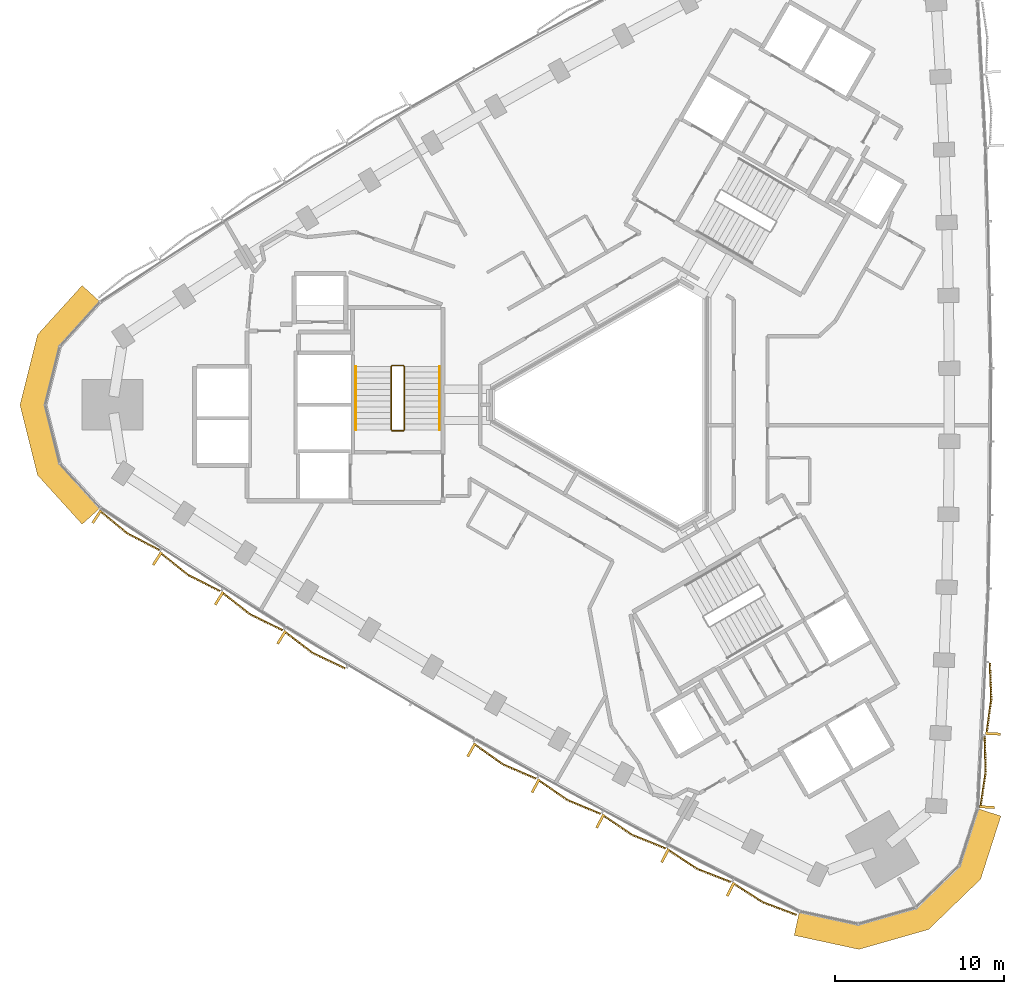
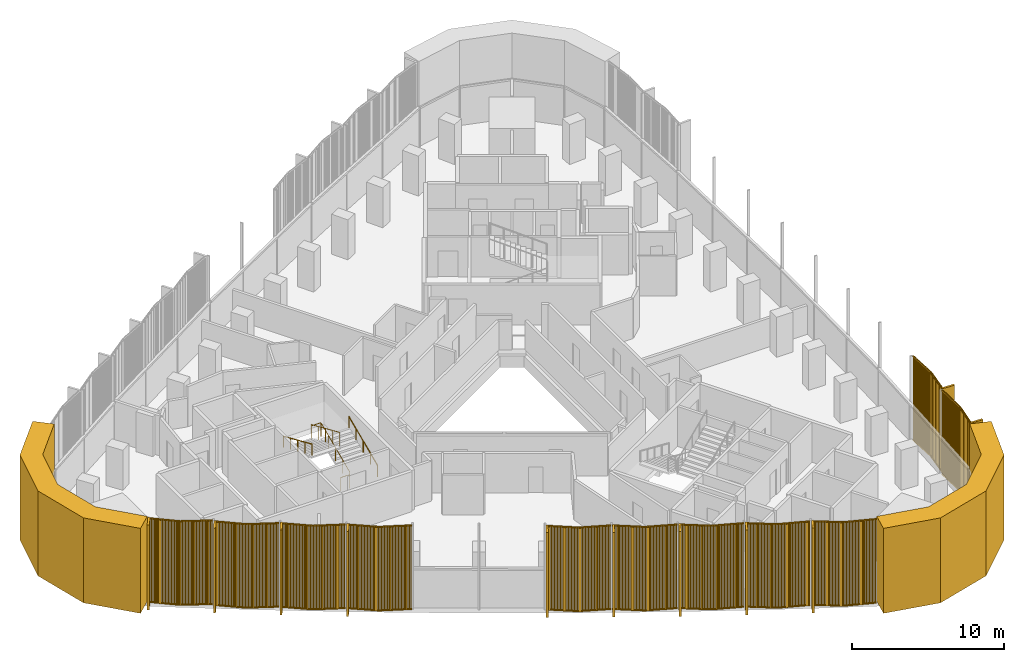
# One storey, part 12 of 14: 13 coverings, 3 railings.
"""IFC4 building model written with IfcOpenShell, lengths in metres."""

from ifc_helpers import new_model, si_unit, direction, frame, frame_2d, origin, origin_2d, place, context, subcontext, project, spatial, polyline, rectangle, circle, outline, extrude, source, transform, mapped, material, layer, layer_set, type_object, element, save


model = new_model("IFC4")

# Units and contexts
model_context = context("Model", 3, precision=1e-05, world=origin(), true_north=direction((0.0, 1.0)))
body_context = subcontext(model_context, "Body", "Model", "MODEL_VIEW")
ifc_project = project(units=[si_unit("LENGTHUNIT", "METRE"), si_unit("AREAUNIT", "SQUARE_METRE"), si_unit("VOLUMEUNIT", "CUBIC_METRE"), si_unit("PLANEANGLEUNIT", "RADIAN"), si_unit("MASSUNIT", "GRAM", prefix="KILO")], contexts=[model_context])

# Site, building, storey
site_placement = place(None, origin())
site = spatial("IfcSite", under=ifc_project, at=site_placement, CompositionType="ELEMENT")
building_placement = place(site_placement, origin())
building = spatial("IfcBuilding", under=site, at=building_placement, Name="Tamra Quay Hotel Tower", CompositionType="ELEMENT")
storey_placement = place(building_placement, frame((0.0, 0.0, 150.39990234375)))
storey = spatial("IfcBuildingStorey", under=building, at=storey_placement, Name="L37", CompositionType="ELEMENT", Elevation=150.39990234375)

# Coverings
ifc_material_1 = material(Name="Precast concrete M60 terracotta-coloured", Category="masonry")
ifc_layer = layer(ifc_material_1, 1.449951171875)
ifc_layer_set = layer_set([ifc_layer], Name="CORNER PIER PANEL")
covering_type_1 = type_object("IfcCoveringType", Name="CORNER PIER PANEL", PredefinedType="CLADDING", material=ifc_layer_set)
covering_1_placement = place(storey_placement, origin())
element("IfcCovering", 1, at=covering_1_placement, inside=storey, type_object=covering_type_1, Name="Corner pier L37.north-west", PredefinedType="CLADDING", context=body_context, shape_type="SweptSolid", body=[
    extrude(outline(polyline([(-31.139892578125, 6.099365234375), (-32.21435546875, 7.0732421875), (-34.85205078125, 4.16259765625), (-35.894775390625, 0.0), (-34.85205078125, -4.16259765625), (-32.21435546875, -7.0732421875), (-31.139892578125, -6.099365234375), (-33.53369140625, -3.4580078125), (-34.39990234375, 0.0), (-33.53369140625, 3.4580078125), (-31.139892578125, 6.099365234375)])), origin(), (0.0, 0.0, 1.0), 6.800048828125),
])
covering_2_placement = place(storey_placement, origin())
element("IfcCovering", 2, at=covering_2_placement, inside=storey, type_object=covering_type_1, Name="Corner pier L37.south-west", PredefinedType="CLADDING", context=body_context, shape_type="SweptSolid", body=[
    extrude(outline(polyline([(10.28759765625, -30.017578125), (9.981689453125, -31.43505859375), (13.821044921875, -32.26416015625), (17.947509765625, -31.085693359375), (21.031005859375, -28.1015625), (22.232666015625, -24.36181640625), (20.852294921875, -23.918212890625), (19.76171875, -27.31201171875), (17.199951171875, -29.791259765625), (13.772216796875, -30.770263671875), (10.28759765625, -30.017578125)])), origin(), (0.0, 0.0, 1.0), 6.800048828125),
])

# Railings
ifc_material_2 = material(Name="Stair guard 1100")
railing_type_1 = type_object("IfcRailingType", Name="Stair guard 1100", PredefinedType="GUARDRAIL", material=ifc_material_2)
railing_1_placement = place(storey_placement, frame((-13.84130859375, -1.530029296875, 0.0)))
element("IfcRailing", 3, at=railing_1_placement, inside=storey, type_object=railing_type_1, Name="GR", PredefinedType="GUARDRAIL", context=body_context, shape_type="SweptSolid", body=[
    extrude(circle(Radius=0.02392578125, at=origin_2d()), frame((0.0, 0.0, 1.076171875), z_axis=(1.0, 0.0, 0.0), x_axis=(0.0, 1.0, 0.0)), (0.0, 0.0, 1.0), 0.658935546875),
    extrude(circle(Radius=0.02392578125, at=origin_2d()), frame((0.658935546875, 0.0, 1.076171875), z_axis=(0.301511344578, 0.301511344578, 0.904534033733), x_axis=(-0.707106781187, 0.707106781187, 0.0)), (0.0, 0.0, 1.0), 0.166015625),
    extrude(circle(Radius=0.02392578125, at=origin_2d()), frame((0.708984375, 0.050048828125, 1.22607421875), z_axis=(0.0, 0.915795495799, 0.401644880304), x_axis=(-1.0, 0.0, 0.0)), (0.0, 0.0, 1.0), 4.10791015625),
    extrude(circle(Radius=0.02392578125, at=origin_2d()), frame((0.708984375, 3.81201171875, 2.8759765625), z_axis=(-0.708833529934, 0.705375805398, 0.0), x_axis=(-0.705375805398, -0.708833529934, 0.0)), (0.0, 0.0, 1.0), 0.070556640625),
    extrude(circle(Radius=0.02392578125, at=origin_2d()), frame((0.658935546875, 3.86181640625, 2.8759765625), z_axis=(-1.0, 0.0, 0.0), x_axis=(0.0, -1.0, 0.0)), (0.0, 0.0, 1.0), 0.658935546875),
    extrude(circle(Radius=0.02392578125, at=origin_2d()), frame((0.0, 3.86181640625, 2.8759765625), z_axis=(-0.301644814947, -0.300173376825, 0.904934444842), x_axis=(0.705375805398, -0.708833529934, 0.0)), (0.0, 0.0, 1.0), 0.166015625),
    extrude(circle(Radius=0.02392578125, at=origin_2d()), frame((-0.050048828125, 3.81201171875, 3.0263671875), z_axis=(0.0, -0.915795495799, 0.401644880304), x_axis=(1.0, 0.0, 0.0)), (0.0, 0.0, 1.0), 4.10791015625),
    extrude(circle(Radius=0.02099609375, at=origin_2d()), origin(), (0.0, 0.0, 1.0), 1.052001953125),
    extrude(circle(Radius=0.02099609375, at=origin_2d()), frame((0.658935546875, 0.0, 0.0)), (0.0, 0.0, 1.0), 1.052001953125),
    extrude(circle(Radius=0.02099609375, at=origin_2d()), frame((0.708984375, 0.050048828125, 0.150146484375)), (0.0, 0.0, 1.0), 1.052001953125),
    extrude(circle(Radius=0.02099609375, at=origin_2d()), frame((0.708984375, 0.990478515625, 0.5625)), (0.0, 0.0, 1.0), 1.052001953125),
    extrude(circle(Radius=0.02099609375, at=origin_2d()), frame((0.708984375, 1.93115234375, 0.97509765625)), (0.0, 0.0, 1.0), 1.052001953125),
    extrude(circle(Radius=0.02099609375, at=origin_2d()), frame((0.708984375, 2.87158203125, 1.3876953125)), (0.0, 0.0, 1.0), 1.052001953125),
    extrude(circle(Radius=0.02099609375, at=origin_2d()), frame((0.708984375, 3.81201171875, 1.800048828125)), (0.0, 0.0, 1.0), 1.052001953125),
    extrude(circle(Radius=0.02099609375, at=origin_2d()), frame((0.658935546875, 3.86181640625, 1.800048828125)), (0.0, 0.0, 1.0), 1.052001953125),
    extrude(circle(Radius=0.02099609375, at=origin_2d()), frame((0.0, 3.86181640625, 1.800048828125)), (0.0, 0.0, 1.0), 1.052001953125),
    extrude(circle(Radius=0.02099609375, at=origin_2d()), frame((-0.050048828125, 3.81201171875, 1.9501953125)), (0.0, 0.0, 1.0), 1.052001953125),
    extrude(circle(Radius=0.02099609375, at=origin_2d()), frame((-0.050048828125, 2.87158203125, 2.36279296875)), (0.0, 0.0, 1.0), 1.052001953125),
    extrude(circle(Radius=0.02099609375, at=origin_2d()), frame((-0.050048828125, 1.93115234375, 2.775146484375)), (0.0, 0.0, 1.0), 1.052001953125),
    extrude(circle(Radius=0.02099609375, at=origin_2d()), frame((-0.050048828125, 0.990478515625, 3.1875)), (0.0, 0.0, 1.0), 1.052001953125),
    extrude(circle(Radius=0.02099609375, at=origin_2d()), frame((-0.050048828125, 0.050048828125, 3.60009765625)), (0.0, 0.0, 1.0), 1.052001953125),
])
ifc_material_3 = material(Name="Stair handrail 900")
railing_type_2 = type_object("IfcRailingType", Name="Stair handrail 900", PredefinedType="HANDRAIL", material=ifc_material_3)
railing_2_placement = place(storey_placement, frame((-11.0322265625, -1.47998046875, 0.150146484375)))
element("IfcRailing", 4, at=railing_2_placement, inside=storey, type_object=railing_type_2, Name="HR", PredefinedType="HANDRAIL", context=body_context, shape_type="SweptSolid", body=[
    extrude(circle(Radius=0.02392578125, at=origin_2d()), frame((0.0, 0.0, 0.8759765625), z_axis=(0.0, 0.915795495799, 0.401644880304), x_axis=(-1.0, 0.0, 0.0)), (0.0, 0.0, 1.0), 4.10791015625),
    extrude(circle(Radius=0.02099609375, at=origin_2d()), origin(), (0.0, 0.0, 1.0), 0.851806640625),
    extrude(circle(Radius=0.02099609375, at=origin_2d()), frame((0.0, 0.9404296875, 0.41259765625)), (0.0, 0.0, 1.0), 0.851806640625),
    extrude(circle(Radius=0.02099609375, at=origin_2d()), frame((0.0, 1.880859375, 0.824951171875)), (0.0, 0.0, 1.0), 0.851806640625),
    extrude(circle(Radius=0.02099609375, at=origin_2d()), frame((0.0, 2.821533203125, 1.2373046875)), (0.0, 0.0, 1.0), 0.851806640625),
    extrude(circle(Radius=0.02099609375, at=origin_2d()), frame((0.0, 3.761962890625, 1.64990234375)), (0.0, 0.0, 1.0), 0.851806640625),
])
railing_3_placement = place(storey_placement, frame((-15.9912109375, 2.281982421875, 1.9501953125)))
element("IfcRailing", 5, at=railing_3_placement, inside=storey, type_object=railing_type_2, Name="HR", PredefinedType="HANDRAIL", context=body_context, shape_type="SweptSolid", body=[
    extrude(circle(Radius=0.02392578125, at=origin_2d()), frame((0.0, 0.0, 0.8759765625), z_axis=(0.0, -0.915795495799, 0.401644880304), x_axis=(1.0, 0.0, 0.0)), (0.0, 0.0, 1.0), 4.10791015625),
    extrude(circle(Radius=0.02099609375, at=origin_2d()), origin(), (0.0, 0.0, 1.0), 0.851806640625),
    extrude(circle(Radius=0.02099609375, at=origin_2d()), frame((0.0, -0.9404296875, 0.41259765625)), (0.0, 0.0, 1.0), 0.851806640625),
    extrude(circle(Radius=0.02099609375, at=origin_2d()), frame((0.0, -1.880859375, 0.824951171875)), (0.0, 0.0, 1.0), 0.851806640625),
    extrude(circle(Radius=0.02099609375, at=origin_2d()), frame((0.0, -2.821533203125, 1.2373046875)), (0.0, 0.0, 1.0), 0.851806640625),
    extrude(circle(Radius=0.02099609375, at=origin_2d()), frame((0.0, -3.761962890625, 1.64990234375)), (0.0, 0.0, 1.0), 0.851806640625),
])

# Coverings
ifc_material_4 = material(Name="Terracotta baguette extruded", Category="masonry")
covering_type_2 = type_object("IfcCoveringType", Name="BAGUETTE SCREEN E-V H6800", PredefinedType="USERDEFINED", material=ifc_material_4)
shared_shape_1 = source(origin(), body_context, "Body", "SweptSolid", [
    extrude(rectangle(XDim=2.140625, YDim=0.06005859375, at=frame_2d((1.0703125, 0.030029296875))), frame((-2.1376953125, -0.057861328125, -0.1201171875), z_axis=(0.0, 0.0, 1.0), x_axis=(0.996194698092, -0.087155742748, 0.0)), (0.0, 0.0, 1.0), 0.1201171875),
    extrude(rectangle(XDim=2.140625, YDim=0.06005859375, at=frame_2d((1.0703125, 0.030029296875))), frame((-2.1376953125, -0.057861328125, -6.800048828125), z_axis=(0.0, 0.0, 1.0), x_axis=(0.996194698092, -0.087155742748, 0.0)), (0.0, 0.0, 1.0), 0.1201171875),
    extrude(rectangle(XDim=0.070068359375, YDim=0.10009765625, at=frame_2d((0.03515625, 0.050048828125))), frame((-2.11669921875, -0.13232421875, -6.739990234375)), (0.0, 0.0, 1.0), 6.679931640625),
    extrude(rectangle(XDim=0.070068359375, YDim=0.10009765625, at=frame_2d((0.03515625, 0.050048828125))), frame((-2.01513671875, -0.141357421875, -6.739990234375)), (0.0, 0.0, 1.0), 6.679931640625),
    extrude(rectangle(XDim=0.070068359375, YDim=0.10009765625, at=frame_2d((0.03515625, 0.050048828125))), frame((-1.91357421875, -0.150146484375, -6.739990234375)), (0.0, 0.0, 1.0), 6.679931640625),
    extrude(rectangle(XDim=0.070068359375, YDim=0.10009765625, at=frame_2d((0.03515625, 0.050048828125))), frame((-1.81201171875, -0.1591796875, -6.739990234375)), (0.0, 0.0, 1.0), 6.679931640625),
    extrude(rectangle(XDim=0.070068359375, YDim=0.10009765625, at=frame_2d((0.03515625, 0.050048828125))), frame((-1.71044921875, -0.16796875, -6.739990234375)), (0.0, 0.0, 1.0), 6.679931640625),
    extrude(rectangle(XDim=0.070068359375, YDim=0.10009765625, at=frame_2d((0.03515625, 0.050048828125))), frame((-1.60888671875, -0.1767578125, -6.739990234375)), (0.0, 0.0, 1.0), 6.679931640625),
    extrude(rectangle(XDim=0.070068359375, YDim=0.10009765625, at=frame_2d((0.03515625, 0.050048828125))), frame((-1.50732421875, -0.185791015625, -6.739990234375)), (0.0, 0.0, 1.0), 6.679931640625),
    extrude(rectangle(XDim=0.070068359375, YDim=0.10009765625, at=frame_2d((0.03515625, 0.050048828125))), frame((-1.406005859375, -0.194580078125, -6.739990234375)), (0.0, 0.0, 1.0), 6.679931640625),
    extrude(rectangle(XDim=0.070068359375, YDim=0.10009765625, at=frame_2d((0.03515625, 0.050048828125))), frame((-1.304443359375, -0.20361328125, -6.739990234375)), (0.0, 0.0, 1.0), 6.679931640625),
    extrude(rectangle(XDim=0.070068359375, YDim=0.10009765625, at=frame_2d((0.03515625, 0.050048828125))), frame((-1.202880859375, -0.21240234375, -6.739990234375)), (0.0, 0.0, 1.0), 6.679931640625),
    extrude(rectangle(XDim=0.070068359375, YDim=0.10009765625, at=frame_2d((0.03515625, 0.050048828125))), frame((-1.101318359375, -0.22119140625, -6.739990234375)), (0.0, 0.0, 1.0), 6.679931640625),
    extrude(rectangle(XDim=0.070068359375, YDim=0.10009765625, at=frame_2d((0.03515625, 0.050048828125))), frame((-0.999755859375, -0.230224609375, -6.739990234375)), (0.0, 0.0, 1.0), 6.679931640625),
    extrude(rectangle(XDim=0.070068359375, YDim=0.10009765625, at=frame_2d((0.03515625, 0.050048828125))), frame((-0.898193359375, -0.239013671875, -6.739990234375)), (0.0, 0.0, 1.0), 6.679931640625),
    extrude(rectangle(XDim=0.070068359375, YDim=0.10009765625, at=frame_2d((0.03515625, 0.050048828125))), frame((-0.796630859375, -0.248046875, -6.739990234375)), (0.0, 0.0, 1.0), 6.679931640625),
    extrude(rectangle(XDim=0.070068359375, YDim=0.10009765625, at=frame_2d((0.03515625, 0.050048828125))), frame((-0.695068359375, -0.2568359375, -6.739990234375)), (0.0, 0.0, 1.0), 6.679931640625),
    extrude(rectangle(XDim=0.070068359375, YDim=0.10009765625, at=frame_2d((0.03515625, 0.050048828125))), frame((-0.593505859375, -0.265625, -6.739990234375)), (0.0, 0.0, 1.0), 6.679931640625),
    extrude(rectangle(XDim=0.070068359375, YDim=0.10009765625, at=frame_2d((0.03515625, 0.050048828125))), frame((-0.491943359375, -0.274658203125, -6.739990234375)), (0.0, 0.0, 1.0), 6.679931640625),
    extrude(rectangle(XDim=0.070068359375, YDim=0.10009765625, at=frame_2d((0.03515625, 0.050048828125))), frame((-0.390380859375, -0.283447265625, -6.739990234375)), (0.0, 0.0, 1.0), 6.679931640625),
    extrude(rectangle(XDim=0.070068359375, YDim=0.10009765625, at=frame_2d((0.03515625, 0.050048828125))), frame((-0.288818359375, -0.29248046875, -6.739990234375)), (0.0, 0.0, 1.0), 6.679931640625),
    extrude(rectangle(XDim=0.070068359375, YDim=0.10009765625, at=frame_2d((0.03515625, 0.050048828125))), frame((-0.187255859375, -0.30126953125, -6.739990234375)), (0.0, 0.0, 1.0), 6.679931640625),
    extrude(rectangle(XDim=0.070068359375, YDim=0.10009765625, at=frame_2d((0.03515625, 0.050048828125))), frame((-0.085693359375, -0.31005859375, -6.739990234375)), (0.0, 0.0, 1.0), 6.679931640625),
    extrude(rectangle(XDim=2.140625, YDim=0.06005859375, at=frame_2d((1.0703125, 0.030029296875))), frame((0.005126953125, -0.244384765625, -0.1201171875), z_axis=(0.0, 0.0, 1.0), x_axis=(0.996194698092, 0.087155742748, 0.0)), (0.0, 0.0, 1.0), 0.1201171875),
    extrude(rectangle(XDim=2.140625, YDim=0.06005859375, at=frame_2d((1.0703125, 0.030029296875))), frame((0.005126953125, -0.244384765625, -6.800048828125), z_axis=(0.0, 0.0, 1.0), x_axis=(0.996194698092, 0.087155742748, 0.0)), (0.0, 0.0, 1.0), 0.1201171875),
    extrude(rectangle(XDim=0.070068359375, YDim=0.10009765625, at=frame_2d((0.03515625, 0.050048828125))), frame((0.015869140625, -0.31005859375, -6.739990234375)), (0.0, 0.0, 1.0), 6.679931640625),
    extrude(rectangle(XDim=0.070068359375, YDim=0.10009765625, at=frame_2d((0.03515625, 0.050048828125))), frame((0.117431640625, -0.30126953125, -6.739990234375)), (0.0, 0.0, 1.0), 6.679931640625),
    extrude(rectangle(XDim=0.070068359375, YDim=0.10009765625, at=frame_2d((0.03515625, 0.050048828125))), frame((0.21875, -0.29248046875, -6.739990234375)), (0.0, 0.0, 1.0), 6.679931640625),
    extrude(rectangle(XDim=0.070068359375, YDim=0.10009765625, at=frame_2d((0.03515625, 0.050048828125))), frame((0.3203125, -0.283447265625, -6.739990234375)), (0.0, 0.0, 1.0), 6.679931640625),
    extrude(rectangle(XDim=0.070068359375, YDim=0.10009765625, at=frame_2d((0.03515625, 0.050048828125))), frame((0.421875, -0.274658203125, -6.739990234375)), (0.0, 0.0, 1.0), 6.679931640625),
    extrude(rectangle(XDim=0.070068359375, YDim=0.10009765625, at=frame_2d((0.03515625, 0.050048828125))), frame((0.5234375, -0.265625, -6.739990234375)), (0.0, 0.0, 1.0), 6.679931640625),
    extrude(rectangle(XDim=0.070068359375, YDim=0.10009765625, at=frame_2d((0.03515625, 0.050048828125))), frame((0.625, -0.2568359375, -6.739990234375)), (0.0, 0.0, 1.0), 6.679931640625),
    extrude(rectangle(XDim=0.070068359375, YDim=0.10009765625, at=frame_2d((0.03515625, 0.050048828125))), frame((0.7265625, -0.248046875, -6.739990234375)), (0.0, 0.0, 1.0), 6.679931640625),
    extrude(rectangle(XDim=0.070068359375, YDim=0.10009765625, at=frame_2d((0.03515625, 0.050048828125))), frame((0.828125, -0.239013671875, -6.739990234375)), (0.0, 0.0, 1.0), 6.679931640625),
    extrude(rectangle(XDim=0.070068359375, YDim=0.10009765625, at=frame_2d((0.03515625, 0.050048828125))), frame((0.9296875, -0.230224609375, -6.739990234375)), (0.0, 0.0, 1.0), 6.679931640625),
    extrude(rectangle(XDim=0.070068359375, YDim=0.10009765625, at=frame_2d((0.03515625, 0.050048828125))), frame((1.03125, -0.22119140625, -6.739990234375)), (0.0, 0.0, 1.0), 6.679931640625),
    extrude(rectangle(XDim=0.070068359375, YDim=0.10009765625, at=frame_2d((0.03515625, 0.050048828125))), frame((1.1328125, -0.21240234375, -6.739990234375)), (0.0, 0.0, 1.0), 6.679931640625),
    extrude(rectangle(XDim=0.070068359375, YDim=0.10009765625, at=frame_2d((0.03515625, 0.050048828125))), frame((1.234375, -0.20361328125, -6.739990234375)), (0.0, 0.0, 1.0), 6.679931640625),
    extrude(rectangle(XDim=0.070068359375, YDim=0.10009765625, at=frame_2d((0.03515625, 0.050048828125))), frame((1.3359375, -0.194580078125, -6.739990234375)), (0.0, 0.0, 1.0), 6.679931640625),
    extrude(rectangle(XDim=0.070068359375, YDim=0.10009765625, at=frame_2d((0.03515625, 0.050048828125))), frame((1.4375, -0.185791015625, -6.739990234375)), (0.0, 0.0, 1.0), 6.679931640625),
    extrude(rectangle(XDim=0.070068359375, YDim=0.10009765625, at=frame_2d((0.03515625, 0.050048828125))), frame((1.5390625, -0.1767578125, -6.739990234375)), (0.0, 0.0, 1.0), 6.679931640625),
    extrude(rectangle(XDim=0.070068359375, YDim=0.10009765625, at=frame_2d((0.03515625, 0.050048828125))), frame((1.640625, -0.16796875, -6.739990234375)), (0.0, 0.0, 1.0), 6.679931640625),
    extrude(rectangle(XDim=0.070068359375, YDim=0.10009765625, at=frame_2d((0.03515625, 0.050048828125))), frame((1.7421875, -0.1591796875, -6.739990234375)), (0.0, 0.0, 1.0), 6.679931640625),
    extrude(rectangle(XDim=0.070068359375, YDim=0.10009765625, at=frame_2d((0.03515625, 0.050048828125))), frame((1.84375, -0.150146484375, -6.739990234375)), (0.0, 0.0, 1.0), 6.679931640625),
    extrude(rectangle(XDim=0.070068359375, YDim=0.10009765625, at=frame_2d((0.03515625, 0.050048828125))), frame((1.945068359375, -0.141357421875, -6.739990234375)), (0.0, 0.0, 1.0), 6.679931640625),
    extrude(rectangle(XDim=0.070068359375, YDim=0.10009765625, at=frame_2d((0.03515625, 0.050048828125))), frame((2.046630859375, -0.13232421875, -6.739990234375)), (0.0, 0.0, 1.0), 6.679931640625),
    extrude(rectangle(XDim=0.14990234375, YDim=0.902099609375, at=frame_2d((0.074951171875, 0.451171875))), frame((-2.132568359375, -0.89990234375, -6.800048828125)), (0.0, 0.0, 1.0), 6.800048828125),
])
for number, where, z_axis, x_axis, name in (
    (6, (21.079833984375, -21.751953125, 6.800048828125), (0.0, 0.0, 1.0), (0.059641629271, 0.998219853568, 0.0), "Baguette screen L37.E.f00"),
    (7, (21.413330078125, -17.41064453125, 6.800048828125), (0.0, 0.0, 1.0), (0.047747439326, 0.998859440581, 0.0), "Baguette screen L37.E.f01"),
):
    element("IfcCovering", number, at=place(storey_placement, frame(where, z_axis=z_axis, x_axis=x_axis)), inside=storey, type_object=covering_type_2, Name=name, ObjectType="BAGUETTE SCREEN", PredefinedType="USERDEFINED", context=body_context, shape_type="MappedRepresentation", body=[
        mapped(shared_shape_1, transform((0.0, 0.0, 0.0), scale=1.0)),
    ])
covering_type_3 = type_object("IfcCoveringType", Name="BAGUETTE SCREEN SW-V H6800", PredefinedType="USERDEFINED", material=ifc_material_4)
shared_shape_2 = source(origin(), body_context, "Body", "SweptSolid", [
    extrude(rectangle(XDim=2.144287109375, YDim=0.06005859375, at=frame_2d((1.072265625, 0.030029296875))), frame((-2.138671875, -0.0576171875, -0.1201171875), z_axis=(0.0, 0.0, 1.0), x_axis=(0.994521895368, -0.104528463268, 0.0)), (0.0, 0.0, 1.0), 0.1201171875),
    extrude(rectangle(XDim=2.144287109375, YDim=0.06005859375, at=frame_2d((1.072265625, 0.030029296875))), frame((-2.138671875, -0.0576171875, -6.800048828125), z_axis=(0.0, 0.0, 1.0), x_axis=(0.994521895368, -0.104528463268, 0.0)), (0.0, 0.0, 1.0), 0.1201171875),
    extrude(rectangle(XDim=0.070068359375, YDim=0.10009765625, at=frame_2d((0.03515625, 0.050048828125))), frame((-2.11669921875, -0.13330078125, -6.739990234375)), (0.0, 0.0, 1.0), 6.679931640625),
    extrude(rectangle(XDim=0.070068359375, YDim=0.10009765625, at=frame_2d((0.03515625, 0.050048828125))), frame((-2.01513671875, -0.14404296875, -6.739990234375)), (0.0, 0.0, 1.0), 6.679931640625),
    extrude(rectangle(XDim=0.070068359375, YDim=0.10009765625, at=frame_2d((0.03515625, 0.050048828125))), frame((-1.91357421875, -0.15478515625, -6.739990234375)), (0.0, 0.0, 1.0), 6.679931640625),
    extrude(rectangle(XDim=0.070068359375, YDim=0.10009765625, at=frame_2d((0.03515625, 0.050048828125))), frame((-1.81201171875, -0.165283203125, -6.739990234375)), (0.0, 0.0, 1.0), 6.679931640625),
    extrude(rectangle(XDim=0.070068359375, YDim=0.10009765625, at=frame_2d((0.03515625, 0.050048828125))), frame((-1.71044921875, -0.176025390625, -6.739990234375)), (0.0, 0.0, 1.0), 6.679931640625),
    extrude(rectangle(XDim=0.070068359375, YDim=0.10009765625, at=frame_2d((0.03515625, 0.050048828125))), frame((-1.60888671875, -0.186767578125, -6.739990234375)), (0.0, 0.0, 1.0), 6.679931640625),
    extrude(rectangle(XDim=0.070068359375, YDim=0.10009765625, at=frame_2d((0.03515625, 0.050048828125))), frame((-1.50732421875, -0.197265625, -6.739990234375)), (0.0, 0.0, 1.0), 6.679931640625),
    extrude(rectangle(XDim=0.070068359375, YDim=0.10009765625, at=frame_2d((0.03515625, 0.050048828125))), frame((-1.406005859375, -0.2080078125, -6.739990234375)), (0.0, 0.0, 1.0), 6.679931640625),
    extrude(rectangle(XDim=0.070068359375, YDim=0.10009765625, at=frame_2d((0.03515625, 0.050048828125))), frame((-1.304443359375, -0.21875, -6.739990234375)), (0.0, 0.0, 1.0), 6.679931640625),
    extrude(rectangle(XDim=0.070068359375, YDim=0.10009765625, at=frame_2d((0.03515625, 0.050048828125))), frame((-1.202880859375, -0.2294921875, -6.739990234375)), (0.0, 0.0, 1.0), 6.679931640625),
    extrude(rectangle(XDim=0.070068359375, YDim=0.10009765625, at=frame_2d((0.03515625, 0.050048828125))), frame((-1.101318359375, -0.239990234375, -6.739990234375)), (0.0, 0.0, 1.0), 6.679931640625),
    extrude(rectangle(XDim=0.070068359375, YDim=0.10009765625, at=frame_2d((0.03515625, 0.050048828125))), frame((-0.999755859375, -0.250732421875, -6.739990234375)), (0.0, 0.0, 1.0), 6.679931640625),
    extrude(rectangle(XDim=0.070068359375, YDim=0.10009765625, at=frame_2d((0.03515625, 0.050048828125))), frame((-0.898193359375, -0.261474609375, -6.739990234375)), (0.0, 0.0, 1.0), 6.679931640625),
    extrude(rectangle(XDim=0.070068359375, YDim=0.10009765625, at=frame_2d((0.03515625, 0.050048828125))), frame((-0.796630859375, -0.27197265625, -6.739990234375)), (0.0, 0.0, 1.0), 6.679931640625),
    extrude(rectangle(XDim=0.070068359375, YDim=0.10009765625, at=frame_2d((0.03515625, 0.050048828125))), frame((-0.695068359375, -0.28271484375, -6.739990234375)), (0.0, 0.0, 1.0), 6.679931640625),
    extrude(rectangle(XDim=0.070068359375, YDim=0.10009765625, at=frame_2d((0.03515625, 0.050048828125))), frame((-0.593505859375, -0.29345703125, -6.739990234375)), (0.0, 0.0, 1.0), 6.679931640625),
    extrude(rectangle(XDim=0.070068359375, YDim=0.10009765625, at=frame_2d((0.03515625, 0.050048828125))), frame((-0.491943359375, -0.30419921875, -6.739990234375)), (0.0, 0.0, 1.0), 6.679931640625),
    extrude(rectangle(XDim=0.070068359375, YDim=0.10009765625, at=frame_2d((0.03515625, 0.050048828125))), frame((-0.390380859375, -0.314697265625, -6.739990234375)), (0.0, 0.0, 1.0), 6.679931640625),
    extrude(rectangle(XDim=0.070068359375, YDim=0.10009765625, at=frame_2d((0.03515625, 0.050048828125))), frame((-0.288818359375, -0.325439453125, -6.739990234375)), (0.0, 0.0, 1.0), 6.679931640625),
    extrude(rectangle(XDim=0.070068359375, YDim=0.10009765625, at=frame_2d((0.03515625, 0.050048828125))), frame((-0.187255859375, -0.336181640625, -6.739990234375)), (0.0, 0.0, 1.0), 6.679931640625),
    extrude(rectangle(XDim=0.070068359375, YDim=0.10009765625, at=frame_2d((0.03515625, 0.050048828125))), frame((-0.085693359375, -0.3466796875, -6.739990234375)), (0.0, 0.0, 1.0), 6.679931640625),
    extrude(rectangle(XDim=2.144287109375, YDim=0.06005859375, at=frame_2d((1.072265625, 0.030029296875))), frame((0.00634765625, -0.28173828125, -0.1201171875), z_axis=(0.0, 0.0, 1.0), x_axis=(0.994521895368, 0.104528463268, 0.0)), (0.0, 0.0, 1.0), 0.1201171875),
    extrude(rectangle(XDim=2.144287109375, YDim=0.06005859375, at=frame_2d((1.072265625, 0.030029296875))), frame((0.00634765625, -0.28173828125, -6.800048828125), z_axis=(0.0, 0.0, 1.0), x_axis=(0.994521895368, 0.104528463268, 0.0)), (0.0, 0.0, 1.0), 0.1201171875),
    extrude(rectangle(XDim=0.070068359375, YDim=0.10009765625, at=frame_2d((0.03515625, 0.050048828125))), frame((0.015869140625, -0.3466796875, -6.739990234375)), (0.0, 0.0, 1.0), 6.679931640625),
    extrude(rectangle(XDim=0.070068359375, YDim=0.10009765625, at=frame_2d((0.03515625, 0.050048828125))), frame((0.117431640625, -0.336181640625, -6.739990234375)), (0.0, 0.0, 1.0), 6.679931640625),
    extrude(rectangle(XDim=0.070068359375, YDim=0.10009765625, at=frame_2d((0.03515625, 0.050048828125))), frame((0.21875, -0.325439453125, -6.739990234375)), (0.0, 0.0, 1.0), 6.679931640625),
    extrude(rectangle(XDim=0.070068359375, YDim=0.10009765625, at=frame_2d((0.03515625, 0.050048828125))), frame((0.3203125, -0.314697265625, -6.739990234375)), (0.0, 0.0, 1.0), 6.679931640625),
    extrude(rectangle(XDim=0.070068359375, YDim=0.10009765625, at=frame_2d((0.03515625, 0.050048828125))), frame((0.421875, -0.30419921875, -6.739990234375)), (0.0, 0.0, 1.0), 6.679931640625),
    extrude(rectangle(XDim=0.070068359375, YDim=0.10009765625, at=frame_2d((0.03515625, 0.050048828125))), frame((0.5234375, -0.29345703125, -6.739990234375)), (0.0, 0.0, 1.0), 6.679931640625),
    extrude(rectangle(XDim=0.070068359375, YDim=0.10009765625, at=frame_2d((0.03515625, 0.050048828125))), frame((0.625, -0.28271484375, -6.739990234375)), (0.0, 0.0, 1.0), 6.679931640625),
    extrude(rectangle(XDim=0.070068359375, YDim=0.10009765625, at=frame_2d((0.03515625, 0.050048828125))), frame((0.7265625, -0.27197265625, -6.739990234375)), (0.0, 0.0, 1.0), 6.679931640625),
    extrude(rectangle(XDim=0.070068359375, YDim=0.10009765625, at=frame_2d((0.03515625, 0.050048828125))), frame((0.828125, -0.261474609375, -6.739990234375)), (0.0, 0.0, 1.0), 6.679931640625),
    extrude(rectangle(XDim=0.070068359375, YDim=0.10009765625, at=frame_2d((0.03515625, 0.050048828125))), frame((0.9296875, -0.250732421875, -6.739990234375)), (0.0, 0.0, 1.0), 6.679931640625),
    extrude(rectangle(XDim=0.070068359375, YDim=0.10009765625, at=frame_2d((0.03515625, 0.050048828125))), frame((1.03125, -0.239990234375, -6.739990234375)), (0.0, 0.0, 1.0), 6.679931640625),
    extrude(rectangle(XDim=0.070068359375, YDim=0.10009765625, at=frame_2d((0.03515625, 0.050048828125))), frame((1.1328125, -0.2294921875, -6.739990234375)), (0.0, 0.0, 1.0), 6.679931640625),
    extrude(rectangle(XDim=0.070068359375, YDim=0.10009765625, at=frame_2d((0.03515625, 0.050048828125))), frame((1.234375, -0.21875, -6.739990234375)), (0.0, 0.0, 1.0), 6.679931640625),
    extrude(rectangle(XDim=0.070068359375, YDim=0.10009765625, at=frame_2d((0.03515625, 0.050048828125))), frame((1.3359375, -0.2080078125, -6.739990234375)), (0.0, 0.0, 1.0), 6.679931640625),
    extrude(rectangle(XDim=0.070068359375, YDim=0.10009765625, at=frame_2d((0.03515625, 0.050048828125))), frame((1.4375, -0.197265625, -6.739990234375)), (0.0, 0.0, 1.0), 6.679931640625),
    extrude(rectangle(XDim=0.070068359375, YDim=0.10009765625, at=frame_2d((0.03515625, 0.050048828125))), frame((1.5390625, -0.186767578125, -6.739990234375)), (0.0, 0.0, 1.0), 6.679931640625),
    extrude(rectangle(XDim=0.070068359375, YDim=0.10009765625, at=frame_2d((0.03515625, 0.050048828125))), frame((1.640625, -0.176025390625, -6.739990234375)), (0.0, 0.0, 1.0), 6.679931640625),
    extrude(rectangle(XDim=0.070068359375, YDim=0.10009765625, at=frame_2d((0.03515625, 0.050048828125))), frame((1.7421875, -0.165283203125, -6.739990234375)), (0.0, 0.0, 1.0), 6.679931640625),
    extrude(rectangle(XDim=0.070068359375, YDim=0.10009765625, at=frame_2d((0.03515625, 0.050048828125))), frame((1.84375, -0.15478515625, -6.739990234375)), (0.0, 0.0, 1.0), 6.679931640625),
    extrude(rectangle(XDim=0.070068359375, YDim=0.10009765625, at=frame_2d((0.03515625, 0.050048828125))), frame((1.945068359375, -0.14404296875, -6.739990234375)), (0.0, 0.0, 1.0), 6.679931640625),
    extrude(rectangle(XDim=0.070068359375, YDim=0.10009765625, at=frame_2d((0.03515625, 0.050048828125))), frame((2.046630859375, -0.13330078125, -6.739990234375)), (0.0, 0.0, 1.0), 6.679931640625),
    extrude(rectangle(XDim=0.14990234375, YDim=0.902099609375, at=frame_2d((0.074951171875, 0.451171875))), frame((-2.132568359375, -0.89990234375, -6.800048828125)), (0.0, 0.0, 1.0), 6.800048828125),
])
for number, where, z_axis, x_axis, name in (
    (8, (-29.377685546875, -7.379638671875, 6.800048828125), (0.0, 0.0, 1.0), (0.834662937117, -0.550761092856, 0.0), "Baguette screen L37.SW.f00"),
    (9, (-25.78466796875, -9.839111328125, 6.800048828125), (0.0, 0.0, 1.0), (0.84116393069, -0.540780215713, 0.0), "Baguette screen L37.SW.f01"),
    (10, (-22.1083984375, -12.171875, 6.800048828125), (0.0, 0.0, 1.0), (0.847546140021, -0.530721716661, 0.0), "Baguette screen L37.SW.f02"),
    (11, (-18.403564453125, -14.461181640625, 6.800048828125), (0.0, 0.0, 1.0), (0.853830186653, -0.520551642357, 0.0), "Baguette screen L37.SW.f03"),
    (12, (-7.131103515625, -21.059326171875, 6.800048828125), (0.0, 0.0, 1.0), (0.871941925157, -0.489609312772, 0.0), "Baguette screen L37.SW.f06"),
    (13, (-3.32177734375, -23.16845703125, 6.800048828125), (0.0, 0.0, 1.0), (0.877726039589, -0.479162810981, 0.0), "Baguette screen L37.SW.f07"),
    (14, (0.512939453125, -25.232421875, 6.800048828125), (0.0, 0.0, 1.0), (0.883391558979, -0.468635629808, 0.0), "Baguette screen L37.SW.f08"),
    (15, (4.371337890625, -27.249755859375, 6.800048828125), (0.0, 0.0, 1.0), (0.888911370016, -0.458079224868, 0.0), "Baguette screen L37.SW.f09"),
    (16, (8.253173828125, -29.22119140625, 6.800048828125), (0.0, 0.0, 1.0), (0.894304566387, -0.447458760713, 0.0), "Baguette screen L37.SW.f10"),
):
    element("IfcCovering", number, at=place(storey_placement, frame(where, z_axis=z_axis, x_axis=x_axis)), inside=storey, type_object=covering_type_3, Name=name, ObjectType="BAGUETTE SCREEN", PredefinedType="USERDEFINED", context=body_context, shape_type="MappedRepresentation", body=[
        mapped(shared_shape_2, transform((0.0, 0.0, 0.0), scale=1.0)),
    ])

save(model, "model.ifc")
